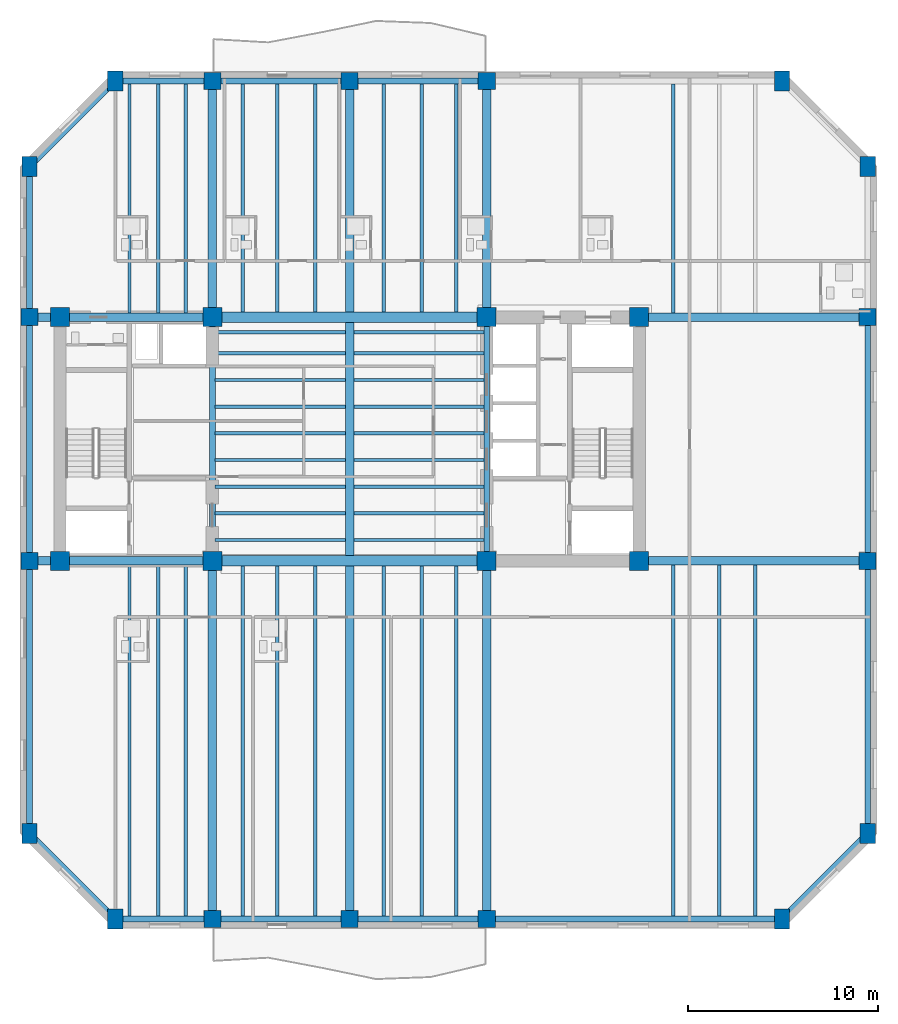
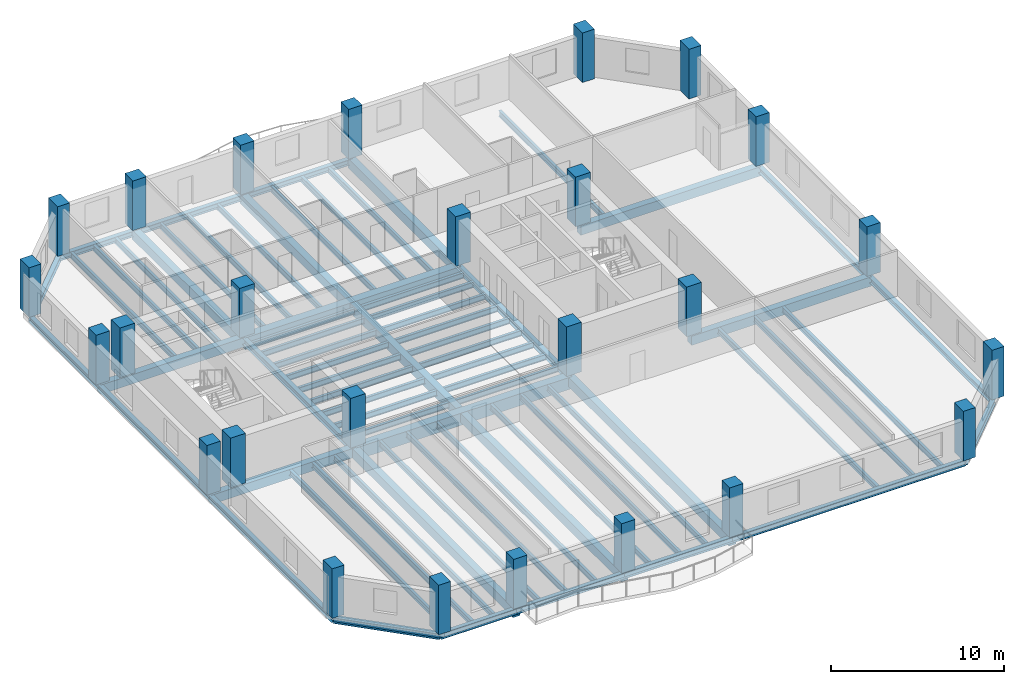
# One storey, part 1 of 10: 70 beams, 26 columns.
"""IFC4 building model written with IfcOpenShell, lengths in metres."""

from ifc_helpers import new_model, si_unit, direction, frame, origin, origin_2d, place, context, subcontext, project, spatial, rectangle, i_section, extrude, material, material_profile, profile_set, type_object, element, save


model = new_model("IFC4")

# Units and contexts
model_context = context("Model", 3, precision=1e-05, world=origin(), true_north=direction((0.0, 1.0)))
body_context = subcontext(model_context, "Body", "Model", "MODEL_VIEW")
ifc_project = project(units=[si_unit("LENGTHUNIT", "METRE"), si_unit("AREAUNIT", "SQUARE_METRE"), si_unit("VOLUMEUNIT", "CUBIC_METRE"), si_unit("PLANEANGLEUNIT", "RADIAN"), si_unit("MASSUNIT", "GRAM", prefix="KILO")], contexts=[model_context])

# Site, building, storey
site_placement = place(None, origin())
site = spatial("IfcSite", under=ifc_project, at=site_placement, CompositionType="ELEMENT")
building_placement = place(site_placement, origin())
building = spatial("IfcBuilding", under=site, at=building_placement, Name="Kranthara Brick Stack", CompositionType="ELEMENT")
storey_placement = place(building_placement, frame((0.0, 0.0, 144.800048828125)))
storey = spatial("IfcBuildingStorey", under=building, at=storey_placement, Name="L36", CompositionType="ELEMENT", Elevation=144.800048828125)

# Columns
ifc_material_1 = material(Name="Concrete C60/75", Category="concrete")
ifc_material_profile_1 = material_profile(ifc_material_1, rectangle(XDim=0.800048828125, YDim=1.050048828125, at=origin_2d()), Name="RC 800x1050")
ifc_profile_set_1 = profile_set([ifc_material_profile_1], Name="Concrete C60/75")
column_type_1 = type_object("IfcColumnType", Name="COL-CHAM-800x1050", PredefinedType="COLUMN", material=ifc_profile_set_1)
for number, where, z_axis, x_axis, name in (
    (1, (15.699951171875, 2.0, 0.0), (0.0, 0.0, 1.0), (1.0, 0.0, 0.0), "L36 Column 09"),
    (2, (15.699951171875, 46.0, 0.0), (0.0, 0.0, 1.0), (1.0, 0.0, 0.0), "L36 Column 10"),
    (3, (50.699951171875, 2.0, 0.0), (0.0, 0.0, 1.0), (1.0, 0.0, 0.0), "L36 Column 17"),
    (4, (50.699951171875, 46.0, 0.0), (0.0, 0.0, 1.0), (1.0, 0.0, 0.0), "L36 Column 18"),
    (5, (11.199951171875, 6.5, 0.0), (0.0, 0.0, 1.0), (1.0, 0.0, 0.0), "L36 Column 19"),
    (6, (55.199951171875, 6.5, 0.0), (0.0, 0.0, 1.0), (1.0, 0.0, 0.0), "L36 Column 20"),
    (7, (11.199951171875, 41.5, 0.0), (0.0, 0.0, 1.0), (1.0, 0.0, 0.0), "L36 Column 25"),
    (8, (55.199951171875, 41.5, 0.0), (0.0, 0.0, 1.0), (1.0, 0.0, 0.0), "L36 Column 26"),
):
    element("IfcColumn", number, at=place(storey_placement, frame(where, z_axis=z_axis, x_axis=x_axis)), inside=storey, type_object=column_type_1, Name=name, PredefinedType="COLUMN", context=body_context, shape_type="SweptSolid", body=[
        extrude(rectangle(XDim=0.800048828125, YDim=1.050048828125, at=origin_2d()), origin(), (0.0, 0.0, 1.0), 3.5),
    ])
ifc_material_2 = material(Name="Concrete C60/75", Category="concrete")
ifc_material_profile_2 = material_profile(ifc_material_2, rectangle(XDim=1.0, YDim=1.0, at=origin_2d()), Name="RC 1000x1000")
ifc_profile_set_2 = profile_set([ifc_material_profile_2], Name="Concrete C60/75")
column_type_2 = type_object("IfcColumnType", Name="COL-CORE-1000", PredefinedType="COLUMN", material=ifc_profile_set_2)
for number, where, z_axis, x_axis, name in (
    (9, (12.800048828125, 20.800048828125, 0.0), (0.0, 0.0, 1.0), (1.0, 0.0, 0.0), "L36 Column 01"),
    (10, (20.800048828125, 20.800048828125, 0.0), (0.0, 0.0, 1.0), (1.0, 0.0, 0.0), "L36 Column 02"),
    (11, (12.800048828125, 33.60009765625, 0.0), (0.0, 0.0, 1.0), (1.0, 0.0, 0.0), "L36 Column 03"),
    (12, (20.800048828125, 33.60009765625, 0.0), (0.0, 0.0, 1.0), (1.0, 0.0, 0.0), "L36 Column 04"),
    (13, (35.199951171875, 20.800048828125, 0.0), (0.0, 0.0, 1.0), (1.0, 0.0, 0.0), "L36 Column 05"),
    (14, (43.199951171875, 20.800048828125, 0.0), (0.0, 0.0, 1.0), (1.0, 0.0, 0.0), "L36 Column 06"),
    (15, (35.199951171875, 33.60009765625, 0.0), (0.0, 0.0, 1.0), (1.0, 0.0, 0.0), "L36 Column 07"),
    (16, (43.199951171875, 33.60009765625, 0.0), (0.0, 0.0, 1.0), (1.0, 0.0, 0.0), "L36 Column 08"),
):
    element("IfcColumn", number, at=place(storey_placement, frame(where, z_axis=z_axis, x_axis=x_axis)), inside=storey, type_object=column_type_2, Name=name, PredefinedType="COLUMN", context=body_context, shape_type="SweptSolid", body=[
        extrude(rectangle(XDim=1.0, YDim=1.0, at=origin_2d()), origin(), (0.0, 0.0, 1.0), 3.5),
    ])
ifc_material_3 = material(Name="Concrete C60/75", Category="concrete")
ifc_material_profile_3 = material_profile(ifc_material_3, rectangle(XDim=0.89990234375, YDim=0.89990234375, at=origin_2d()), Name="RC 900x900")
ifc_profile_set_3 = profile_set([ifc_material_profile_3], Name="Concrete C60/75")
column_type_3 = type_object("IfcColumnType", Name="COL-PER-900", PredefinedType="COLUMN", material=ifc_profile_set_3)
for number, where, z_axis, x_axis, name in (
    (17, (20.800048828125, 2.0, 0.0), (0.0, 0.0, 1.0), (1.0, 0.0, 0.0), "L36 Column 11"),
    (18, (20.800048828125, 46.0, 0.0), (0.0, 0.0, 1.0), (1.0, 0.0, 0.0), "L36 Column 12"),
    (19, (28.0, 2.0, 0.0), (0.0, 0.0, 1.0), (1.0, 0.0, 0.0), "L36 Column 13"),
    (20, (28.0, 46.0, 0.0), (0.0, 0.0, 1.0), (1.0, 0.0, 0.0), "L36 Column 14"),
    (21, (35.199951171875, 2.0, 0.0), (0.0, 0.0, 1.0), (1.0, 0.0, 0.0), "L36 Column 15"),
    (22, (35.199951171875, 46.0, 0.0), (0.0, 0.0, 1.0), (1.0, 0.0, 0.0), "L36 Column 16"),
    (23, (11.199951171875, 20.800048828125, 0.0), (0.0, 0.0, 1.0), (1.0, 0.0, 0.0), "L36 Column 21"),
    (24, (55.199951171875, 20.800048828125, 0.0), (0.0, 0.0, 1.0), (1.0, 0.0, 0.0), "L36 Column 22"),
    (25, (11.199951171875, 33.60009765625, 0.0), (0.0, 0.0, 1.0), (1.0, 0.0, 0.0), "L36 Column 23"),
    (26, (55.199951171875, 33.60009765625, 0.0), (0.0, 0.0, 1.0), (1.0, 0.0, 0.0), "L36 Column 24"),
):
    element("IfcColumn", number, at=place(storey_placement, frame(where, z_axis=z_axis, x_axis=x_axis)), inside=storey, type_object=column_type_3, Name=name, PredefinedType="COLUMN", context=body_context, shape_type="SweptSolid", body=[
        extrude(rectangle(XDim=0.89990234375, YDim=0.89990234375, at=origin_2d()), origin(), (0.0, 0.0, 1.0), 3.5),
    ])

# Beams
ifc_material_4 = material(Name="Concrete C50/60", Category="concrete")
ifc_material_profile_4 = material_profile(ifc_material_4, rectangle(XDim=0.550048828125, YDim=0.85009765625, at=origin_2d()), Name="RC 550x850")
ifc_profile_set_4 = profile_set([ifc_material_profile_4], Name="Concrete C50/60")
beam_type_1 = type_object("IfcBeamType", Name="BM-CPL-RC850", PredefinedType="LINTEL", material=ifc_profile_set_4)
for number, where, z_axis, x_axis, name in (
    (27, (20.800048828125, 20.800048828125, -0.72509765625), (1.0, 0.0, 0.0), (0.0, 1.0, 0.0), "L36 Core Coupling Beam 001"),
    (28, (20.800048828125, 33.60009765625, -0.72509765625), (1.0, 0.0, 0.0), (0.0, 1.0, 0.0), "L36 Core Coupling Beam 002"),
):
    element("IfcBeam", number, at=place(storey_placement, frame(where, z_axis=z_axis, x_axis=x_axis)), inside=storey, type_object=beam_type_1, Name=name, PredefinedType="LINTEL", context=body_context, shape_type="SweptSolid", body=[
        extrude(rectangle(XDim=0.550048828125, YDim=0.85009765625, at=origin_2d()), origin(), (0.0, 0.0, 1.0), 14.39990234375),
    ])
ifc_material_5 = material(Name="Post-tensioned concrete C45/55", Category="concrete")
ifc_material_profile_5 = material_profile(ifc_material_5, rectangle(XDim=0.449951171875, YDim=0.64990234375, at=origin_2d()), Name="PT 450x650")
ifc_profile_set_5 = profile_set([ifc_material_profile_5], Name="Post-tensioned concrete C45/55")
beam_type_2 = type_object("IfcBeamType", Name="BM-FLR-PT650", PredefinedType="BEAM", material=ifc_profile_set_5)
beam_1_placement = place(storey_placement, frame((20.800048828125, 2.0, -0.625), z_axis=(0.0, 1.0, 0.0), x_axis=(-1.0, 0.0, 0.0)))
element("IfcBeam", 29, at=beam_1_placement, inside=storey, type_object=beam_type_2, Name="L36 Primary Grid Girder 023", PredefinedType="BEAM", context=body_context, shape_type="SweptSolid", body=[
    extrude(rectangle(XDim=0.449951171875, YDim=0.64990234375, at=origin_2d()), origin(), (0.0, 0.0, 1.0), 18.800048828125),
])
beam_2_placement = place(storey_placement, frame((20.800048828125, 33.60009765625, -0.625), z_axis=(0.0, 1.0, 0.0), x_axis=(-1.0, 0.0, 0.0)))
element("IfcBeam", 30, at=beam_2_placement, inside=storey, type_object=beam_type_2, Name="L36 Primary Grid Girder 024", PredefinedType="BEAM", context=body_context, shape_type="SweptSolid", body=[
    extrude(rectangle(XDim=0.449951171875, YDim=0.64990234375, at=origin_2d()), origin(), (0.0, 0.0, 1.0), 12.39990234375),
])
beam_3_placement = place(storey_placement, frame((28.0, 2.0, -0.625), z_axis=(0.0, 1.0, 0.0), x_axis=(-1.0, 0.0, 0.0)))
element("IfcBeam", 31, at=beam_3_placement, inside=storey, type_object=beam_type_2, Name="L36 Primary Grid Girder 025", PredefinedType="BEAM", context=body_context, shape_type="SweptSolid", body=[
    extrude(rectangle(XDim=0.449951171875, YDim=0.64990234375, at=origin_2d()), origin(), (0.0, 0.0, 1.0), 18.52490234375),
])
beam_4_placement = place(storey_placement, frame((28.0, 21.074951171875, -0.625), z_axis=(0.0, 1.0, 0.0), x_axis=(-1.0, 0.0, 0.0)))
element("IfcBeam", 32, at=beam_4_placement, inside=storey, type_object=beam_type_2, Name="L36 Central Spine Girder 026", PredefinedType="BEAM", context=body_context, shape_type="SweptSolid", body=[
    extrude(rectangle(XDim=0.449951171875, YDim=0.64990234375, at=origin_2d()), origin(), (0.0, 0.0, 1.0), 12.25),
])
beam_5_placement = place(storey_placement, frame((28.0, 33.875, -0.625), z_axis=(0.0, 1.0, 0.0), x_axis=(-1.0, 0.0, 0.0)))
element("IfcBeam", 33, at=beam_5_placement, inside=storey, type_object=beam_type_2, Name="L36 Primary Grid Girder 027", PredefinedType="BEAM", context=body_context, shape_type="SweptSolid", body=[
    extrude(rectangle(XDim=0.449951171875, YDim=0.64990234375, at=origin_2d()), origin(), (0.0, 0.0, 1.0), 12.125),
])
beam_6_placement = place(storey_placement, frame((35.199951171875, 2.0, -0.625), z_axis=(0.0, 1.0, 0.0), x_axis=(-1.0, 0.0, 0.0)))
element("IfcBeam", 34, at=beam_6_placement, inside=storey, type_object=beam_type_2, Name="L36 Primary Grid Girder 028", PredefinedType="BEAM", context=body_context, shape_type="SweptSolid", body=[
    extrude(rectangle(XDim=0.449951171875, YDim=0.64990234375, at=origin_2d()), origin(), (0.0, 0.0, 1.0), 18.800048828125),
])
beam_7_placement = place(storey_placement, frame((35.199951171875, 33.60009765625, -0.625), z_axis=(0.0, 1.0, 0.0), x_axis=(-1.0, 0.0, 0.0)))
element("IfcBeam", 35, at=beam_7_placement, inside=storey, type_object=beam_type_2, Name="L36 Primary Grid Girder 029", PredefinedType="BEAM", context=body_context, shape_type="SweptSolid", body=[
    extrude(rectangle(XDim=0.449951171875, YDim=0.64990234375, at=origin_2d()), origin(), (0.0, 0.0, 1.0), 12.39990234375),
])
beam_8_placement = place(storey_placement, frame((11.199951171875, 20.800048828125, -0.625), z_axis=(1.0, 0.0, 0.0), x_axis=(0.0, 1.0, 0.0)))
element("IfcBeam", 36, at=beam_8_placement, inside=storey, type_object=beam_type_2, Name="L36 Primary Grid Girder 030", PredefinedType="BEAM", context=body_context, shape_type="SweptSolid", body=[
    extrude(rectangle(XDim=0.449951171875, YDim=0.64990234375, at=origin_2d()), origin(), (0.0, 0.0, 1.0), 9.60009765625),
])
beam_9_placement = place(storey_placement, frame((43.199951171875, 20.800048828125, -0.625), z_axis=(1.0, 0.0, 0.0), x_axis=(0.0, 1.0, 0.0)))
element("IfcBeam", 37, at=beam_9_placement, inside=storey, type_object=beam_type_2, Name="L36 Primary Grid Girder 031", PredefinedType="BEAM", context=body_context, shape_type="SweptSolid", body=[
    extrude(rectangle(XDim=0.449951171875, YDim=0.64990234375, at=origin_2d()), origin(), (0.0, 0.0, 1.0), 12.0),
])
beam_10_placement = place(storey_placement, frame((11.199951171875, 33.60009765625, -0.625), z_axis=(1.0, 0.0, 0.0), x_axis=(0.0, 1.0, 0.0)))
element("IfcBeam", 38, at=beam_10_placement, inside=storey, type_object=beam_type_2, Name="L36 Primary Grid Girder 032", PredefinedType="BEAM", context=body_context, shape_type="SweptSolid", body=[
    extrude(rectangle(XDim=0.449951171875, YDim=0.64990234375, at=origin_2d()), origin(), (0.0, 0.0, 1.0), 9.60009765625),
])
beam_11_placement = place(storey_placement, frame((43.199951171875, 33.60009765625, -0.625), z_axis=(1.0, 0.0, 0.0), x_axis=(0.0, 1.0, 0.0)))
element("IfcBeam", 39, at=beam_11_placement, inside=storey, type_object=beam_type_2, Name="L36 Primary Grid Girder 033", PredefinedType="BEAM", context=body_context, shape_type="SweptSolid", body=[
    extrude(rectangle(XDim=0.449951171875, YDim=0.64990234375, at=origin_2d()), origin(), (0.0, 0.0, 1.0), 12.0),
])
ifc_material_6 = material(Name="Steel S355", Category="steel")
ifc_material_profile_6 = material_profile(ifc_material_6, i_section(OverallWidth=0.179931640625, OverallDepth=0.39990234375, WebThickness=0.008544921875, FlangeThickness=0.013427734375, at=origin_2d()), Name="IPE 400")
ifc_profile_set_6 = profile_set([ifc_material_profile_6], Name="Steel S355")
beam_type_3 = type_object("IfcBeamType", Name="BM-JST-IPE400", PredefinedType="JOIST", material=ifc_profile_set_6)
for number, where, z_axis, x_axis, name in (
    (40, (20.949951171875, 21.89990234375, -0.5), (1.0, 0.0, 0.0), (0.0, 1.0, 0.0), "L36 Central Floor Joist 034"),
    (41, (28.22509765625, 21.89990234375, -0.5), (1.0, 0.0, 0.0), (0.0, 1.0, 0.0), "L36 Central Floor Joist 035"),
    (42, (20.949951171875, 23.300048828125, -0.5), (1.0, 0.0, 0.0), (0.0, 1.0, 0.0), "L36 Central Floor Joist 036"),
    (43, (28.22509765625, 23.300048828125, -0.5), (1.0, 0.0, 0.0), (0.0, 1.0, 0.0), "L36 Central Floor Joist 037"),
    (44, (20.949951171875, 24.699951171875, -0.5), (1.0, 0.0, 0.0), (0.0, 1.0, 0.0), "L36 Central Floor Joist 038"),
    (45, (28.22509765625, 24.699951171875, -0.5), (1.0, 0.0, 0.0), (0.0, 1.0, 0.0), "L36 Central Floor Joist 039"),
    (46, (20.949951171875, 26.10009765625, -0.5), (1.0, 0.0, 0.0), (0.0, 1.0, 0.0), "L36 Central Floor Joist 040"),
    (47, (28.22509765625, 26.10009765625, -0.5), (1.0, 0.0, 0.0), (0.0, 1.0, 0.0), "L36 Central Floor Joist 041"),
    (48, (20.949951171875, 27.5, -0.5), (1.0, 0.0, 0.0), (0.0, 1.0, 0.0), "L36 Central Floor Joist 042"),
    (49, (28.22509765625, 27.5, -0.5), (1.0, 0.0, 0.0), (0.0, 1.0, 0.0), "L36 Central Floor Joist 043"),
    (50, (20.949951171875, 28.89990234375, -0.5), (1.0, 0.0, 0.0), (0.0, 1.0, 0.0), "L36 Central Floor Joist 044"),
    (51, (28.22509765625, 28.89990234375, -0.5), (1.0, 0.0, 0.0), (0.0, 1.0, 0.0), "L36 Central Floor Joist 045"),
    (52, (20.949951171875, 30.300048828125, -0.5), (1.0, 0.0, 0.0), (0.0, 1.0, 0.0), "L36 Central Floor Joist 046"),
    (53, (28.22509765625, 30.300048828125, -0.5), (1.0, 0.0, 0.0), (0.0, 1.0, 0.0), "L36 Central Floor Joist 047"),
    (54, (20.949951171875, 31.699951171875, -0.5), (1.0, 0.0, 0.0), (0.0, 1.0, 0.0), "L36 Central Floor Joist 048"),
    (55, (28.22509765625, 31.699951171875, -0.5), (1.0, 0.0, 0.0), (0.0, 1.0, 0.0), "L36 Central Floor Joist 049"),
    (56, (20.949951171875, 32.800048828125, -0.5), (1.0, 0.0, 0.0), (0.0, 1.0, 0.0), "L36 Central Floor Joist 050"),
    (57, (28.22509765625, 32.800048828125, -0.5), (1.0, 0.0, 0.0), (0.0, 1.0, 0.0), "L36 Central Floor Joist 051"),
):
    element("IfcBeam", number, at=place(storey_placement, frame(where, z_axis=z_axis, x_axis=x_axis)), inside=storey, type_object=beam_type_3, Name=name, PredefinedType="JOIST", context=body_context, shape_type="SweptSolid", body=[
        extrude(i_section(OverallWidth=0.179931640625, OverallDepth=0.39990234375, WebThickness=0.008544921875, FlangeThickness=0.013427734375, at=origin_2d()), origin(), (0.0, 0.0, 1.0), 6.824951171875),
    ])
beam_12_placement = place(storey_placement, frame((16.449951171875, 2.14990234375, -0.5), z_axis=(0.0, 1.0, 0.0), x_axis=(-1.0, 0.0, 0.0)))
element("IfcBeam", 58, at=beam_12_placement, inside=storey, type_object=beam_type_3, Name="L36 South Wing Floor Joist 052", PredefinedType="JOIST", context=body_context, shape_type="SweptSolid", body=[
    extrude(i_section(OverallWidth=0.179931640625, OverallDepth=0.39990234375, WebThickness=0.008544921875, FlangeThickness=0.013427734375, at=origin_2d()), origin(), (0.0, 0.0, 1.0), 18.425048828125),
])
beam_13_placement = place(storey_placement, frame((16.449951171875, 33.824951171875, -0.5), z_axis=(0.0, 1.0, 0.0), x_axis=(-1.0, 0.0, 0.0)))
element("IfcBeam", 59, at=beam_13_placement, inside=storey, type_object=beam_type_3, Name="L36 North Wing Floor Joist 053", PredefinedType="JOIST", context=body_context, shape_type="SweptSolid", body=[
    extrude(i_section(OverallWidth=0.179931640625, OverallDepth=0.39990234375, WebThickness=0.008544921875, FlangeThickness=0.013427734375, at=origin_2d()), origin(), (0.0, 0.0, 1.0), 12.025146484375),
])
beam_14_placement = place(storey_placement, frame((17.949951171875, 2.14990234375, -0.5), z_axis=(0.0, 1.0, 0.0), x_axis=(-1.0, 0.0, 0.0)))
element("IfcBeam", 60, at=beam_14_placement, inside=storey, type_object=beam_type_3, Name="L36 South Wing Floor Joist 054", PredefinedType="JOIST", context=body_context, shape_type="SweptSolid", body=[
    extrude(i_section(OverallWidth=0.179931640625, OverallDepth=0.39990234375, WebThickness=0.008544921875, FlangeThickness=0.013427734375, at=origin_2d()), origin(), (0.0, 0.0, 1.0), 18.425048828125),
])
beam_15_placement = place(storey_placement, frame((17.949951171875, 33.824951171875, -0.5), z_axis=(0.0, 1.0, 0.0), x_axis=(-1.0, 0.0, 0.0)))
element("IfcBeam", 61, at=beam_15_placement, inside=storey, type_object=beam_type_3, Name="L36 North Wing Floor Joist 055", PredefinedType="JOIST", context=body_context, shape_type="SweptSolid", body=[
    extrude(i_section(OverallWidth=0.179931640625, OverallDepth=0.39990234375, WebThickness=0.008544921875, FlangeThickness=0.013427734375, at=origin_2d()), origin(), (0.0, 0.0, 1.0), 12.025146484375),
])
beam_16_placement = place(storey_placement, frame((19.39990234375, 2.14990234375, -0.5), z_axis=(0.0, 1.0, 0.0), x_axis=(-1.0, 0.0, 0.0)))
element("IfcBeam", 62, at=beam_16_placement, inside=storey, type_object=beam_type_3, Name="L36 South Wing Floor Joist 056", PredefinedType="JOIST", context=body_context, shape_type="SweptSolid", body=[
    extrude(i_section(OverallWidth=0.179931640625, OverallDepth=0.39990234375, WebThickness=0.008544921875, FlangeThickness=0.013427734375, at=origin_2d()), origin(), (0.0, 0.0, 1.0), 18.425048828125),
])
beam_17_placement = place(storey_placement, frame((19.39990234375, 33.824951171875, -0.5), z_axis=(0.0, 1.0, 0.0), x_axis=(-1.0, 0.0, 0.0)))
element("IfcBeam", 63, at=beam_17_placement, inside=storey, type_object=beam_type_3, Name="L36 North Wing Floor Joist 057", PredefinedType="JOIST", context=body_context, shape_type="SweptSolid", body=[
    extrude(i_section(OverallWidth=0.179931640625, OverallDepth=0.39990234375, WebThickness=0.008544921875, FlangeThickness=0.013427734375, at=origin_2d()), origin(), (0.0, 0.0, 1.0), 12.025146484375),
])
beam_18_placement = place(storey_placement, frame((22.39990234375, 2.14990234375, -0.5), z_axis=(0.0, 1.0, 0.0), x_axis=(-1.0, 0.0, 0.0)))
element("IfcBeam", 64, at=beam_18_placement, inside=storey, type_object=beam_type_3, Name="L36 South Wing Floor Joist 058", PredefinedType="JOIST", context=body_context, shape_type="SweptSolid", body=[
    extrude(i_section(OverallWidth=0.179931640625, OverallDepth=0.39990234375, WebThickness=0.008544921875, FlangeThickness=0.013427734375, at=origin_2d()), origin(), (0.0, 0.0, 1.0), 18.375),
])
beam_19_placement = place(storey_placement, frame((22.39990234375, 33.875, -0.5), z_axis=(0.0, 1.0, 0.0), x_axis=(-1.0, 0.0, 0.0)))
element("IfcBeam", 65, at=beam_19_placement, inside=storey, type_object=beam_type_3, Name="L36 North Wing Floor Joist 059", PredefinedType="JOIST", context=body_context, shape_type="SweptSolid", body=[
    extrude(i_section(OverallWidth=0.179931640625, OverallDepth=0.39990234375, WebThickness=0.008544921875, FlangeThickness=0.013427734375, at=origin_2d()), origin(), (0.0, 0.0, 1.0), 11.97509765625),
])
beam_20_placement = place(storey_placement, frame((24.199951171875, 2.14990234375, -0.5), z_axis=(0.0, 1.0, 0.0), x_axis=(-1.0, 0.0, 0.0)))
element("IfcBeam", 66, at=beam_20_placement, inside=storey, type_object=beam_type_3, Name="L36 South Wing Floor Joist 060", PredefinedType="JOIST", context=body_context, shape_type="SweptSolid", body=[
    extrude(i_section(OverallWidth=0.179931640625, OverallDepth=0.39990234375, WebThickness=0.008544921875, FlangeThickness=0.013427734375, at=origin_2d()), origin(), (0.0, 0.0, 1.0), 18.375),
])
beam_21_placement = place(storey_placement, frame((24.199951171875, 33.875, -0.5), z_axis=(0.0, 1.0, 0.0), x_axis=(-1.0, 0.0, 0.0)))
element("IfcBeam", 67, at=beam_21_placement, inside=storey, type_object=beam_type_3, Name="L36 North Wing Floor Joist 061", PredefinedType="JOIST", context=body_context, shape_type="SweptSolid", body=[
    extrude(i_section(OverallWidth=0.179931640625, OverallDepth=0.39990234375, WebThickness=0.008544921875, FlangeThickness=0.013427734375, at=origin_2d()), origin(), (0.0, 0.0, 1.0), 11.97509765625),
])
beam_22_placement = place(storey_placement, frame((26.199951171875, 2.14990234375, -0.5), z_axis=(0.0, 1.0, 0.0), x_axis=(-1.0, 0.0, 0.0)))
element("IfcBeam", 68, at=beam_22_placement, inside=storey, type_object=beam_type_3, Name="L36 South Wing Floor Joist 062", PredefinedType="JOIST", context=body_context, shape_type="SweptSolid", body=[
    extrude(i_section(OverallWidth=0.179931640625, OverallDepth=0.39990234375, WebThickness=0.008544921875, FlangeThickness=0.013427734375, at=origin_2d()), origin(), (0.0, 0.0, 1.0), 18.375),
])
beam_23_placement = place(storey_placement, frame((26.199951171875, 33.875, -0.5), z_axis=(0.0, 1.0, 0.0), x_axis=(-1.0, 0.0, 0.0)))
element("IfcBeam", 69, at=beam_23_placement, inside=storey, type_object=beam_type_3, Name="L36 North Wing Floor Joist 063", PredefinedType="JOIST", context=body_context, shape_type="SweptSolid", body=[
    extrude(i_section(OverallWidth=0.179931640625, OverallDepth=0.39990234375, WebThickness=0.008544921875, FlangeThickness=0.013427734375, at=origin_2d()), origin(), (0.0, 0.0, 1.0), 11.97509765625),
])
beam_24_placement = place(storey_placement, frame((29.800048828125, 2.14990234375, -0.5), z_axis=(0.0, 1.0, 0.0), x_axis=(-1.0, 0.0, 0.0)))
element("IfcBeam", 70, at=beam_24_placement, inside=storey, type_object=beam_type_3, Name="L36 South Wing Floor Joist 064", PredefinedType="JOIST", context=body_context, shape_type="SweptSolid", body=[
    extrude(i_section(OverallWidth=0.179931640625, OverallDepth=0.39990234375, WebThickness=0.008544921875, FlangeThickness=0.013427734375, at=origin_2d()), origin(), (0.0, 0.0, 1.0), 18.375),
])
beam_25_placement = place(storey_placement, frame((29.800048828125, 33.875, -0.5), z_axis=(0.0, 1.0, 0.0), x_axis=(-1.0, 0.0, 0.0)))
element("IfcBeam", 71, at=beam_25_placement, inside=storey, type_object=beam_type_3, Name="L36 North Wing Floor Joist 065", PredefinedType="JOIST", context=body_context, shape_type="SweptSolid", body=[
    extrude(i_section(OverallWidth=0.179931640625, OverallDepth=0.39990234375, WebThickness=0.008544921875, FlangeThickness=0.013427734375, at=origin_2d()), origin(), (0.0, 0.0, 1.0), 11.97509765625),
])
beam_26_placement = place(storey_placement, frame((31.800048828125, 2.14990234375, -0.5), z_axis=(0.0, 1.0, 0.0), x_axis=(-1.0, 0.0, 0.0)))
element("IfcBeam", 72, at=beam_26_placement, inside=storey, type_object=beam_type_3, Name="L36 South Wing Floor Joist 066", PredefinedType="JOIST", context=body_context, shape_type="SweptSolid", body=[
    extrude(i_section(OverallWidth=0.179931640625, OverallDepth=0.39990234375, WebThickness=0.008544921875, FlangeThickness=0.013427734375, at=origin_2d()), origin(), (0.0, 0.0, 1.0), 18.375),
])
beam_27_placement = place(storey_placement, frame((31.800048828125, 33.875, -0.5), z_axis=(0.0, 1.0, 0.0), x_axis=(-1.0, 0.0, 0.0)))
element("IfcBeam", 73, at=beam_27_placement, inside=storey, type_object=beam_type_3, Name="L36 North Wing Floor Joist 067", PredefinedType="JOIST", context=body_context, shape_type="SweptSolid", body=[
    extrude(i_section(OverallWidth=0.179931640625, OverallDepth=0.39990234375, WebThickness=0.008544921875, FlangeThickness=0.013427734375, at=origin_2d()), origin(), (0.0, 0.0, 1.0), 11.97509765625),
])
beam_28_placement = place(storey_placement, frame((33.60009765625, 2.14990234375, -0.5), z_axis=(0.0, 1.0, 0.0), x_axis=(-1.0, 0.0, 0.0)))
element("IfcBeam", 74, at=beam_28_placement, inside=storey, type_object=beam_type_3, Name="L36 South Wing Floor Joist 068", PredefinedType="JOIST", context=body_context, shape_type="SweptSolid", body=[
    extrude(i_section(OverallWidth=0.179931640625, OverallDepth=0.39990234375, WebThickness=0.008544921875, FlangeThickness=0.013427734375, at=origin_2d()), origin(), (0.0, 0.0, 1.0), 18.375),
])
beam_29_placement = place(storey_placement, frame((33.60009765625, 33.875, -0.5), z_axis=(0.0, 1.0, 0.0), x_axis=(-1.0, 0.0, 0.0)))
element("IfcBeam", 75, at=beam_29_placement, inside=storey, type_object=beam_type_3, Name="L36 North Wing Floor Joist 069", PredefinedType="JOIST", context=body_context, shape_type="SweptSolid", body=[
    extrude(i_section(OverallWidth=0.179931640625, OverallDepth=0.39990234375, WebThickness=0.008544921875, FlangeThickness=0.013427734375, at=origin_2d()), origin(), (0.0, 0.0, 1.0), 11.97509765625),
])
beam_30_placement = place(storey_placement, frame((45.0, 2.14990234375, -0.5), z_axis=(0.0, 1.0, 0.0), x_axis=(-1.0, 0.0, 0.0)))
element("IfcBeam", 76, at=beam_30_placement, inside=storey, type_object=beam_type_3, Name="L36 South Wing Floor Joist 070", PredefinedType="JOIST", context=body_context, shape_type="SweptSolid", body=[
    extrude(i_section(OverallWidth=0.179931640625, OverallDepth=0.39990234375, WebThickness=0.008544921875, FlangeThickness=0.013427734375, at=origin_2d()), origin(), (0.0, 0.0, 1.0), 18.425048828125),
])
beam_31_placement = place(storey_placement, frame((45.0, 33.824951171875, -0.5), z_axis=(0.0, 1.0, 0.0), x_axis=(-1.0, 0.0, 0.0)))
element("IfcBeam", 77, at=beam_31_placement, inside=storey, type_object=beam_type_3, Name="L36 North Wing Floor Joist 071", PredefinedType="JOIST", context=body_context, shape_type="SweptSolid", body=[
    extrude(i_section(OverallWidth=0.179931640625, OverallDepth=0.39990234375, WebThickness=0.008544921875, FlangeThickness=0.013427734375, at=origin_2d()), origin(), (0.0, 0.0, 1.0), 12.025146484375),
])
for number, where, z_axis, x_axis, name in (
    (78, (47.39990234375, 2.14990234375, -0.5), (0.0, 1.0, 0.0), (-1.0, 0.0, 0.0), "L36 South Wing Floor Joist 072"),
    (79, (49.300048828125, 2.14990234375, -0.5), (0.0, 1.0, 0.0), (-1.0, 0.0, 0.0), "L36 South Wing Floor Joist 074"),
):
    element("IfcBeam", number, at=place(storey_placement, frame(where, z_axis=z_axis, x_axis=x_axis)), inside=storey, type_object=beam_type_3, Name=name, PredefinedType="JOIST", context=body_context, shape_type="SweptSolid", body=[
        extrude(i_section(OverallWidth=0.179931640625, OverallDepth=0.39990234375, WebThickness=0.008544921875, FlangeThickness=0.013427734375, at=origin_2d()), origin(), (0.0, 0.0, 1.0), 18.425048828125),
    ])
ifc_material_7 = material(Name="Steel S355", Category="steel")
ifc_material_profile_7 = material_profile(ifc_material_7, i_section(OverallWidth=0.300048828125, OverallDepth=0.39990234375, WebThickness=0.013427734375, FlangeThickness=0.02392578125, at=origin_2d()), Name="HEB 400")
ifc_profile_set_7 = profile_set([ifc_material_profile_7], Name="Steel S355")
beam_type_4 = type_object("IfcBeamType", Name="BM-STL-HEB400", PredefinedType="SPANDREL", material=ifc_profile_set_7)
beam_32_placement = place(storey_placement, frame((15.699951171875, 2.0, -0.5), z_axis=(1.0, 0.0, 0.0), x_axis=(0.0, 1.0, 0.0)))
element("IfcBeam", 80, at=beam_32_placement, inside=storey, type_object=beam_type_4, Name="L36 Perimeter Spandrel Beam 005", PredefinedType="SPANDREL", context=body_context, shape_type="SweptSolid", body=[
    extrude(i_section(OverallWidth=0.300048828125, OverallDepth=0.39990234375, WebThickness=0.013427734375, FlangeThickness=0.02392578125, at=origin_2d()), origin(), (0.0, 0.0, 1.0), 5.10009765625),
])
for number, where, z_axis, x_axis, name in (
    (81, (20.800048828125, 2.0, -0.5), (1.0, 0.0, 0.0), (0.0, 1.0, 0.0), "L36 Perimeter Spandrel Beam 006"),
    (82, (28.0, 2.0, -0.5), (1.0, 0.0, 0.0), (0.0, 1.0, 0.0), "L36 Perimeter Spandrel Beam 007"),
):
    element("IfcBeam", number, at=place(storey_placement, frame(where, z_axis=z_axis, x_axis=x_axis)), inside=storey, type_object=beam_type_4, Name=name, PredefinedType="SPANDREL", context=body_context, shape_type="SweptSolid", body=[
        extrude(i_section(OverallWidth=0.300048828125, OverallDepth=0.39990234375, WebThickness=0.013427734375, FlangeThickness=0.02392578125, at=origin_2d()), origin(), (0.0, 0.0, 1.0), 7.199951171875),
    ])
beam_33_placement = place(storey_placement, frame((35.199951171875, 2.0, -0.5), z_axis=(1.0, 0.0, 0.0), x_axis=(0.0, 1.0, 0.0)))
element("IfcBeam", 83, at=beam_33_placement, inside=storey, type_object=beam_type_4, Name="L36 Perimeter Spandrel Beam 008", PredefinedType="SPANDREL", context=body_context, shape_type="SweptSolid", body=[
    extrude(i_section(OverallWidth=0.300048828125, OverallDepth=0.39990234375, WebThickness=0.013427734375, FlangeThickness=0.02392578125, at=origin_2d()), origin(), (0.0, 0.0, 1.0), 15.5),
])
beam_34_placement = place(storey_placement, frame((15.699951171875, 46.0, -0.5), z_axis=(1.0, 0.0, 0.0), x_axis=(0.0, 1.0, 0.0)))
element("IfcBeam", 84, at=beam_34_placement, inside=storey, type_object=beam_type_4, Name="L36 Perimeter Spandrel Beam 009", PredefinedType="SPANDREL", context=body_context, shape_type="SweptSolid", body=[
    extrude(i_section(OverallWidth=0.300048828125, OverallDepth=0.39990234375, WebThickness=0.013427734375, FlangeThickness=0.02392578125, at=origin_2d()), origin(), (0.0, 0.0, 1.0), 5.10009765625),
])
for number, where, z_axis, x_axis, name in (
    (85, (20.800048828125, 46.0, -0.5), (1.0, 0.0, 0.0), (0.0, 1.0, 0.0), "L36 Perimeter Spandrel Beam 010"),
    (86, (28.0, 46.0, -0.5), (1.0, 0.0, 0.0), (0.0, 1.0, 0.0), "L36 Perimeter Spandrel Beam 011"),
):
    element("IfcBeam", number, at=place(storey_placement, frame(where, z_axis=z_axis, x_axis=x_axis)), inside=storey, type_object=beam_type_4, Name=name, PredefinedType="SPANDREL", context=body_context, shape_type="SweptSolid", body=[
        extrude(i_section(OverallWidth=0.300048828125, OverallDepth=0.39990234375, WebThickness=0.013427734375, FlangeThickness=0.02392578125, at=origin_2d()), origin(), (0.0, 0.0, 1.0), 7.199951171875),
    ])
beam_35_placement = place(storey_placement, frame((11.199951171875, 6.5, -0.5), z_axis=(0.0, 1.0, 0.0), x_axis=(-1.0, 0.0, 0.0)))
element("IfcBeam", 87, at=beam_35_placement, inside=storey, type_object=beam_type_4, Name="L36 Perimeter Spandrel Beam 013", PredefinedType="SPANDREL", context=body_context, shape_type="SweptSolid", body=[
    extrude(i_section(OverallWidth=0.300048828125, OverallDepth=0.39990234375, WebThickness=0.013427734375, FlangeThickness=0.02392578125, at=origin_2d()), origin(), (0.0, 0.0, 1.0), 14.300048828125),
])
beam_36_placement = place(storey_placement, frame((11.199951171875, 20.800048828125, -0.5), z_axis=(0.0, 1.0, 0.0), x_axis=(-1.0, 0.0, 0.0)))
element("IfcBeam", 88, at=beam_36_placement, inside=storey, type_object=beam_type_4, Name="L36 Perimeter Spandrel Beam 014", PredefinedType="SPANDREL", context=body_context, shape_type="SweptSolid", body=[
    extrude(i_section(OverallWidth=0.300048828125, OverallDepth=0.39990234375, WebThickness=0.013427734375, FlangeThickness=0.02392578125, at=origin_2d()), origin(), (0.0, 0.0, 1.0), 12.800048828125),
])
beam_37_placement = place(storey_placement, frame((11.199951171875, 33.60009765625, -0.5), z_axis=(0.0, 1.0, 0.0), x_axis=(-1.0, 0.0, 0.0)))
element("IfcBeam", 89, at=beam_37_placement, inside=storey, type_object=beam_type_4, Name="L36 Perimeter Spandrel Beam 015", PredefinedType="SPANDREL", context=body_context, shape_type="SweptSolid", body=[
    extrude(i_section(OverallWidth=0.300048828125, OverallDepth=0.39990234375, WebThickness=0.013427734375, FlangeThickness=0.02392578125, at=origin_2d()), origin(), (0.0, 0.0, 1.0), 7.89990234375),
])
beam_38_placement = place(storey_placement, frame((55.199951171875, 6.5, -0.5), z_axis=(0.0, 1.0, 0.0), x_axis=(-1.0, 0.0, 0.0)))
element("IfcBeam", 90, at=beam_38_placement, inside=storey, type_object=beam_type_4, Name="L36 Perimeter Spandrel Beam 016", PredefinedType="SPANDREL", context=body_context, shape_type="SweptSolid", body=[
    extrude(i_section(OverallWidth=0.300048828125, OverallDepth=0.39990234375, WebThickness=0.013427734375, FlangeThickness=0.02392578125, at=origin_2d()), origin(), (0.0, 0.0, 1.0), 14.300048828125),
])
beam_39_placement = place(storey_placement, frame((55.199951171875, 20.800048828125, -0.5), z_axis=(0.0, 1.0, 0.0), x_axis=(-1.0, 0.0, 0.0)))
element("IfcBeam", 91, at=beam_39_placement, inside=storey, type_object=beam_type_4, Name="L36 Perimeter Spandrel Beam 017", PredefinedType="SPANDREL", context=body_context, shape_type="SweptSolid", body=[
    extrude(i_section(OverallWidth=0.300048828125, OverallDepth=0.39990234375, WebThickness=0.013427734375, FlangeThickness=0.02392578125, at=origin_2d()), origin(), (0.0, 0.0, 1.0), 12.800048828125),
])
for number, where, z_axis, x_axis, name in (
    (92, (15.699951171875, 2.0, -0.5), (-0.707106781187, 0.707106781187, 0.0), (-0.707106781187, -0.707106781187, 0.0), "L36 Chamfer Corner Spandrel 019"),
    (93, (50.699951171875, 2.0, -0.5), (0.707106781187, 0.707106781187, 0.0), (-0.707106781187, 0.707106781187, 0.0), "L36 Chamfer Corner Spandrel 020"),
    (94, (15.699951171875, 46.0, -0.5), (-0.707106781187, -0.707106781187, 0.0), (0.707106781187, -0.707106781187, 0.0), "L36 Chamfer Corner Spandrel 021"),
):
    element("IfcBeam", number, at=place(storey_placement, frame(where, z_axis=z_axis, x_axis=x_axis)), inside=storey, type_object=beam_type_4, Name=name, PredefinedType="SPANDREL", context=body_context, shape_type="SweptSolid", body=[
        extrude(i_section(OverallWidth=0.300048828125, OverallDepth=0.39990234375, WebThickness=0.013427734375, FlangeThickness=0.02392578125, at=origin_2d()), origin(), (0.0, 0.0, 1.0), 6.364013671875),
    ])
ifc_material_8 = material(Name="Steel S355", Category="steel")
ifc_material_profile_8 = material_profile(ifc_material_8, i_section(OverallWidth=0.300048828125, OverallDepth=0.449951171875, WebThickness=0.013916015625, FlangeThickness=0.02587890625, at=origin_2d()), Name="HEB 450")
ifc_profile_set_8 = profile_set([ifc_material_profile_8], Name="Steel S355")
beam_type_5 = type_object("IfcBeamType", Name="BM-STL-HEB450", PredefinedType="SPANDREL", material=ifc_profile_set_8)
for number, where, z_axis, x_axis, name in (
    (95, (20.800048828125, 20.800048828125, -0.525146484375), (0.0, 1.0, 0.0), (-1.0, 0.0, 0.0), "L36 Core Edge Tie Beam 003"),
    (96, (35.199951171875, 20.800048828125, -0.525146484375), (0.0, 1.0, 0.0), (-1.0, 0.0, 0.0), "L36 Core Edge Tie Beam 004"),
):
    element("IfcBeam", number, at=place(storey_placement, frame(where, z_axis=z_axis, x_axis=x_axis)), inside=storey, type_object=beam_type_5, Name=name, PredefinedType="SPANDREL", context=body_context, shape_type="SweptSolid", body=[
        extrude(i_section(OverallWidth=0.300048828125, OverallDepth=0.449951171875, WebThickness=0.013916015625, FlangeThickness=0.02587890625, at=origin_2d()), origin(), (0.0, 0.0, 1.0), 12.800048828125),
    ])

save(model, "model.ifc")
